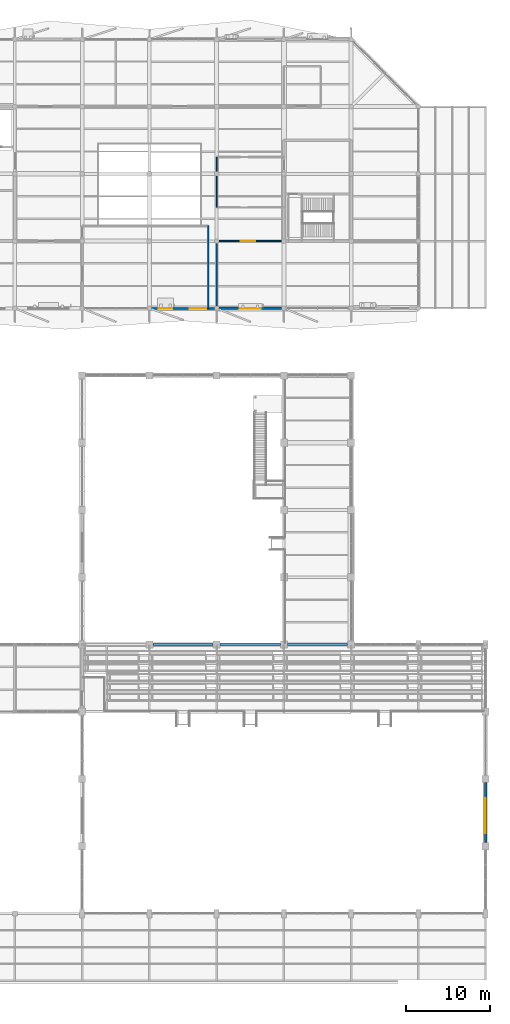
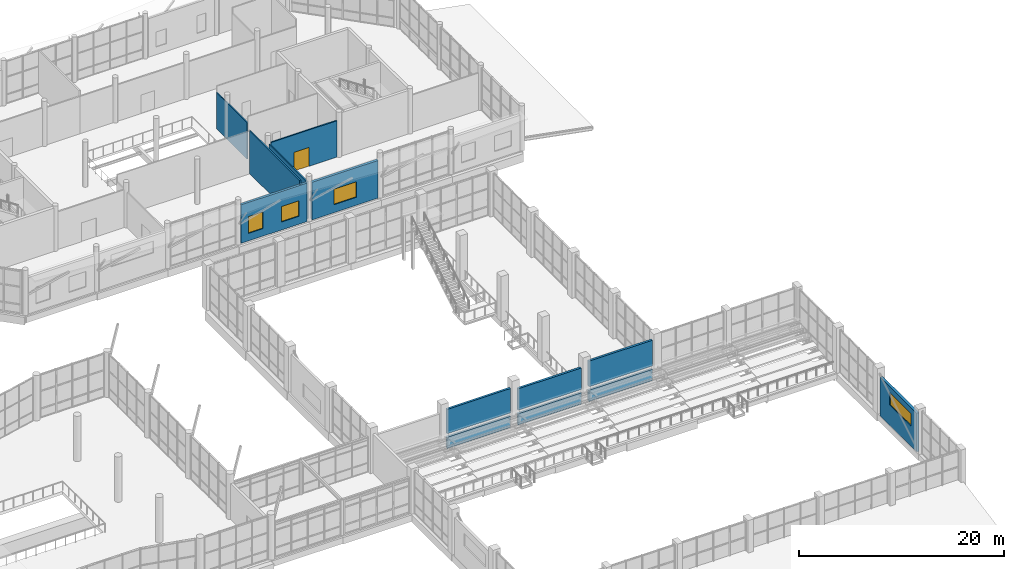
# One storey, part 110 of 122: 13 walls, 4 windows, 1 door, 5 openings.
"""IFC4 building model written with IfcOpenShell, lengths in metres."""

from ifc_helpers import new_model, si_unit, direction, frame, frame_2d, origin, place, context, subcontext, project, spatial, rectangle, extrude, material, layer, layer_set, type_object, element, fill, save


model = new_model("IFC4")

# Units and contexts
model_context = context("Model", 3, precision=1e-05, world=origin(), true_north=direction((0.0, 1.0)))
body_context = subcontext(model_context, "Body", "Model", "MODEL_VIEW")
ifc_project = project(units=[si_unit("LENGTHUNIT", "METRE"), si_unit("AREAUNIT", "SQUARE_METRE"), si_unit("VOLUMEUNIT", "CUBIC_METRE"), si_unit("PLANEANGLEUNIT", "RADIAN"), si_unit("MASSUNIT", "GRAM", prefix="KILO")], contexts=[model_context])

# Site, building, storey
site_placement = place(None, origin())
site = spatial("IfcSite", under=ifc_project, at=site_placement, CompositionType="ELEMENT")
building_placement = place(site_placement, origin())
building = spatial("IfcBuilding", under=site, at=building_placement, Name="Tenunan Teduh Sports Hall", CompositionType="ELEMENT")
storey_placement = place(building_placement, frame((0.0, 0.0, 5.39990234375)))
storey = spatial("IfcBuildingStorey", under=building, at=storey_placement, Name="L01", CompositionType="ELEMENT", Elevation=5.39990234375)

# Walls
ifc_material_1 = material(Name="Precast concrete C40/50", Category="concrete")
ifc_layer_1 = layer(ifc_material_1, 0.25)
ifc_layer_set_1 = layer_set([ifc_layer_1], Name="Precast concrete C40/50")
wall_type_1 = type_object("IfcWallType", Name="WL-EXT-250", PredefinedType="SOLIDWALL", material=ifc_layer_set_1)
for number, where, z_axis, x_axis, name in (
    (1, (130.425048828125, 46.0, -0.27001953125), (0.0, 0.0, 1.0), (1.0, 0.0, 0.0), "WL-EXT-L01-066"),
    (2, (138.425048828125, 46.0, -0.27001953125), (0.0, 0.0, 1.0), (1.0, 0.0, 0.0), "WL-EXT-L01-067"),
    (3, (146.425048828125, 46.0, -0.27001953125), (0.0, 0.0, 1.0), (1.0, 0.0, 0.0), "WL-EXT-L01-068"),
):
    element("IfcWall", number, at=place(storey_placement, frame(where, z_axis=z_axis, x_axis=x_axis)), inside=storey, type_object=wall_type_1, Name=name, PredefinedType="SOLIDWALL", context=body_context, shape_type="SweptSolid", body=[
        extrude(rectangle(XDim=7.14990234375, YDim=0.25, at=frame_2d((3.574951171875, 0.0))), origin(), (0.0, 0.0, 1.0), 1.34375),
    ])

# Wall, openings, windows
wall_1_placement = place(storey_placement, frame((130.27490234375, 86.0, 0.0), z_axis=(0.0, 0.0, 1.0), x_axis=(1.0, 0.0, 0.0)))
wall_1 = element("IfcWall", 4, at=wall_1_placement, inside=storey, type_object=wall_type_1, Name="WL-EXT-L01-230", PredefinedType="SOLIDWALL", context=body_context, shape_type="SweptSolid", body=[
    extrude(rectangle(XDim=7.4501953125, YDim=0.25, at=frame_2d((3.72509765625, 0.0))), origin(), (0.0, 0.0, 1.0), 4.590087890625),
])
opening_1_placement = place(wall_1_placement, frame((0.85009765625, 0.0, 0.89990234375)))
opening_1 = element("IfcOpeningElement", 5, at=opening_1_placement, cuts=wall_1, Name="Opening W-14", PredefinedType="OPENING", context=body_context, shape_type="SweptSolid", body=[
    extrude(rectangle(XDim=1.60009765625, YDim=2.0, at=frame_2d((0.800048828125, 1.0))), frame((0.0, 0.135009765625, 0.0), z_axis=(0.0, -1.0, 0.0), x_axis=(1.0, 0.0, 0.0)), (0.0, 0.0, 1.0), 0.27001953125),
])
opening_2_placement = place(wall_1_placement, frame((4.550048828125, 0.0, 0.949951171875)))
opening_2 = element("IfcOpeningElement", 6, at=opening_2_placement, cuts=wall_1, Name="Opening W-20", PredefinedType="OPENING", context=body_context, shape_type="SweptSolid", body=[
    extrude(rectangle(XDim=1.949951171875, YDim=1.85009765625, at=frame_2d((0.97509765625, 0.925048828125))), frame((0.0, 0.135009765625, 0.0), z_axis=(0.0, -1.0, 0.0), x_axis=(1.0, 0.0, 0.0)), (0.0, 0.0, 1.0), 0.27001953125),
])
ifc_material_2 = material(Name="Thermally broken aluminium and Low-E glazing", Category="aluminium")
window_type_1 = type_object("IfcWindowType", Name="WIN-14", PartitioningType="DOUBLE_PANEL_VERTICAL", PredefinedType="WINDOW", material=ifc_material_2)
window_1_placement = place(opening_1_placement, origin())
window_1 = element("IfcWindow", 7, at=window_1_placement, inside=storey, type_object=window_type_1, Name="WIN-L01-136", OverallHeight=2.0, OverallWidth=1.60009765625, PartitioningType="SINGLE_PANEL", PredefinedType="WINDOW", context=body_context, shape_type="SweptSolid", body=[
    extrude(rectangle(XDim=1.60009765625, YDim=2.0, at=frame_2d((0.800048828125, 1.0))), frame((0.0, 0.030029296875, 0.0), z_axis=(0.0, -1.0, 0.0), x_axis=(1.0, 0.0, 0.0)), (0.0, 0.0, 1.0), 0.06005859375),
])
fill(opening_1, window_1)
ifc_material_3 = material(Name="Thermally broken aluminium and Low-E glazing", Category="aluminium")
window_type_2 = type_object("IfcWindowType", Name="WIN-20", PartitioningType="DOUBLE_PANEL_VERTICAL", PredefinedType="WINDOW", material=ifc_material_3)
window_2_placement = place(opening_2_placement, origin())
window_2 = element("IfcWindow", 8, at=window_2_placement, inside=storey, type_object=window_type_2, Name="WIN-L01-137", OverallHeight=1.85009765625, OverallWidth=1.949951171875, PartitioningType="SINGLE_PANEL", PredefinedType="WINDOW", context=body_context, shape_type="SweptSolid", body=[
    extrude(rectangle(XDim=1.949951171875, YDim=1.85009765625, at=frame_2d((0.97509765625, 0.925048828125))), frame((0.0, 0.030029296875, 0.0), z_axis=(0.0, -1.0, 0.0), x_axis=(1.0, 0.0, 0.0)), (0.0, 0.0, 1.0), 0.06005859375),
])
fill(opening_2, window_2)

# Walls
wall_2_placement = place(storey_placement, frame((130.425048828125, 46.0, 1.47998046875), z_axis=(0.0, 0.0, 1.0), x_axis=(1.0, 0.0, 0.0)))
element("IfcWall", 9, at=wall_2_placement, inside=storey, type_object=wall_type_1, Name="WL-EXT-L01-239", PredefinedType="SOLIDWALL", context=body_context, shape_type="SweptSolid", body=[
    extrude(rectangle(XDim=7.14990234375, YDim=0.25, at=frame_2d((3.574951171875, 0.0))), origin(), (0.0, 0.0, 1.0), 2.91015625),
])
wall_3_placement = place(storey_placement, frame((138.425048828125, 46.0, 1.47998046875), z_axis=(0.0, 0.0, 1.0), x_axis=(1.0, 0.0, 0.0)))
element("IfcWall", 10, at=wall_3_placement, inside=storey, type_object=wall_type_1, Name="WL-EXT-L01-240", PredefinedType="SOLIDWALL", context=body_context, shape_type="SweptSolid", body=[
    extrude(rectangle(XDim=7.14990234375, YDim=0.25, at=frame_2d((3.574951171875, 0.0))), origin(), (0.0, 0.0, 1.0), 2.56005859375),
])
wall_4_placement = place(storey_placement, frame((146.425048828125, 46.0, 1.47998046875), z_axis=(0.0, 0.0, 1.0), x_axis=(1.0, 0.0, 0.0)))
element("IfcWall", 11, at=wall_4_placement, inside=storey, type_object=wall_type_1, Name="WL-EXT-L01-241", PredefinedType="SOLIDWALL", context=body_context, shape_type="SweptSolid", body=[
    extrude(rectangle(XDim=7.14990234375, YDim=0.25, at=frame_2d((3.574951171875, 0.0))), origin(), (0.0, 0.0, 1.0), 3.06005859375),
])

# Wall, opening, window
ifc_material_4 = material(Name="Concrete C40/50", Category="concrete")
ifc_layer_2 = layer(ifc_material_4, 0.280029296875)
ifc_layer_set_2 = layer_set([ifc_layer_2], Name="Concrete C40/50")
wall_type_2 = type_object("IfcWallType", Name="WL-EXT-280", PredefinedType="SOLIDWALL", material=ifc_layer_set_2)
wall_5_placement = place(storey_placement, frame((138.27490234375, 86.0, 0.0), z_axis=(0.0, 0.0, 1.0), x_axis=(1.0, 0.0, 0.0)))
wall_5 = element("IfcWall", 12, at=wall_5_placement, inside=storey, type_object=wall_type_2, Name="WL-EXT-L01-231", PredefinedType="SOLIDWALL", context=body_context, shape_type="SweptSolid", body=[
    extrude(rectangle(XDim=7.4501953125, YDim=0.280029296875, at=frame_2d((3.72509765625, 0.0))), origin(), (0.0, 0.0, 1.0), 4.489990234375),
])
opening_3_placement = place(wall_5_placement, frame((2.449951171875, 0.0, 0.949951171875)))
opening_3 = element("IfcOpeningElement", 13, at=opening_3_placement, cuts=wall_5, Name="Opening W-22", PredefinedType="OPENING", context=body_context, shape_type="SweptSolid", body=[
    extrude(rectangle(XDim=2.550048828125, YDim=1.85009765625, at=frame_2d((1.27490234375, 0.925048828125))), frame((0.0, 0.14990234375, 0.0), z_axis=(0.0, -1.0, 0.0), x_axis=(1.0, 0.0, 0.0)), (0.0, 0.0, 1.0), 0.300048828125),
])
ifc_material_5 = material(Name="Thermally broken aluminium and Low-E glazing", Category="aluminium")
window_type_3 = type_object("IfcWindowType", Name="WIN-22", PartitioningType="TRIPLE_PANEL_VERTICAL", PredefinedType="WINDOW", material=ifc_material_5)
window_3_placement = place(opening_3_placement, origin())
window_3 = element("IfcWindow", 14, at=window_3_placement, inside=storey, type_object=window_type_3, Name="WIN-L01-138", OverallHeight=1.85009765625, OverallWidth=2.550048828125, PartitioningType="SINGLE_PANEL", PredefinedType="WINDOW", context=body_context, shape_type="SweptSolid", body=[
    extrude(rectangle(XDim=2.550048828125, YDim=1.85009765625, at=frame_2d((1.27490234375, 0.925048828125))), frame((0.0, 0.030029296875, 0.0), z_axis=(0.0, -1.0, 0.0), x_axis=(1.0, 0.0, 0.0)), (0.0, 0.0, 1.0), 0.06005859375),
])
fill(opening_3, window_3)

ifc_material_6 = material(Name="Concrete C40/50", Category="concrete")
ifc_layer_3 = layer(ifc_material_6, 0.2900390625)
ifc_layer_set_3 = layer_set([ifc_layer_3], Name="Concrete C40/50")
wall_type_3 = type_object("IfcWallType", Name="WL-EXT-290", PredefinedType="SOLIDWALL", material=ifc_layer_set_3)
wall_6_placement = place(storey_placement, frame((170.0, 22.425048828125, -0.27001953125), z_axis=(0.0, 0.0, 1.0), x_axis=(0.0, 1.0, 0.0)))
wall_6 = element("IfcWall", 15, at=wall_6_placement, inside=storey, type_object=wall_type_3, Name="WL-EXT-L01-070", PredefinedType="SOLIDWALL", context=body_context, shape_type="SweptSolid", body=[
    extrude(rectangle(XDim=7.14990234375, YDim=0.2900390625, at=frame_2d((3.574951171875, 0.0))), origin(), (0.0, 0.0, 1.0), 4.610107421875),
])
opening_4_placement = place(wall_6_placement, frame((1.10009765625, 0.0, 2.39990234375)))
opening_4 = element("IfcOpeningElement", 16, at=opening_4_placement, cuts=wall_6, Name="Opening W-06", PredefinedType="OPENING", context=body_context, shape_type="SweptSolid", body=[
    extrude(rectangle(XDim=4.199951171875, YDim=1.5, at=frame_2d((2.10009765625, 0.75))), frame((0.0, 0.155029296875, 0.0), z_axis=(0.0, -1.0, 0.0), x_axis=(1.0, 0.0, 0.0)), (0.0, 0.0, 1.0), 0.31005859375),
])
ifc_material_7 = material(Name="Thermally broken aluminium and Low-E glazing", Category="aluminium")
window_type_4 = type_object("IfcWindowType", Name="WIN-06", PartitioningType="TRIPLE_PANEL_HORIZONTAL", PredefinedType="WINDOW", material=ifc_material_7)
window_4_placement = place(opening_4_placement, origin())
window_4 = element("IfcWindow", 17, at=window_4_placement, inside=storey, type_object=window_type_4, Name="WIN-L01-005", OverallHeight=1.5, OverallWidth=4.199951171875, PartitioningType="SINGLE_PANEL", PredefinedType="WINDOW", context=body_context, shape_type="SweptSolid", body=[
    extrude(rectangle(XDim=4.199951171875, YDim=1.5, at=frame_2d((2.10009765625, 0.75))), frame((0.0, 0.030029296875, 0.0), z_axis=(0.0, -1.0, 0.0), x_axis=(1.0, 0.0, 0.0)), (0.0, 0.0, 1.0), 0.06005859375),
])
fill(opening_4, window_4)

# Walls
ifc_material_8 = material(Name="Moisture-resistant masonry", Category="masonry")
ifc_layer_4 = layer(ifc_material_8, 0.125)
ifc_layer_set_4 = layer_set([ifc_layer_4], Name="Moisture-resistant masonry")
wall_type_4 = type_object("IfcWallType", Name="WL-PRT-125", PredefinedType="PARTITIONING", material=ifc_layer_set_4)
wall_7_placement = place(storey_placement, frame((138.0, 98.0, 0.0), z_axis=(0.0, 0.0, 1.0), x_axis=(0.0, 1.0, 0.0)))
element("IfcWall", 18, at=wall_7_placement, inside=storey, type_object=wall_type_4, Name="WL-PRT-L01-401", PredefinedType="PARTITIONING", context=body_context, shape_type="SweptSolid", body=[
    extrude(rectangle(XDim=6.0, YDim=0.125, at=frame_2d((3.0, 0.0))), origin(), (0.0, 0.0, 1.0), 4.340087890625),
])
ifc_material_9 = material(Name="Acoustic stud and double plasterboard")
ifc_layer_5 = layer(ifc_material_9, 0.14990234375)
ifc_layer_set_5 = layer_set([ifc_layer_5], Name="Acoustic stud and double plasterboard")
wall_type_5 = type_object("IfcWallType", Name="WL-PRT-150", PredefinedType="PARTITIONING", material=ifc_layer_set_5)
wall_8_placement = place(storey_placement, frame((137.0, 86.0, 0.0), z_axis=(0.0, 0.0, 1.0), x_axis=(0.0, 1.0, 0.0)))
element("IfcWall", 19, at=wall_8_placement, inside=storey, type_object=wall_type_5, Name="WL-PRT-L01-396", PredefinedType="PARTITIONING", context=body_context, shape_type="SweptSolid", body=[
    extrude(rectangle(XDim=9.800048828125, YDim=0.14990234375, at=frame_2d((4.89990234375, 0.0))), origin(), (0.0, 0.0, 1.0), 5.10009765625),
])

# Wall, opening, door
wall_9_placement = place(storey_placement, frame((138.27490234375, 94.0, 0.0), z_axis=(0.0, 0.0, 1.0), x_axis=(1.0, 0.0, 0.0)))
wall_9 = element("IfcWall", 20, at=wall_9_placement, inside=storey, type_object=wall_type_5, Name="WL-PRT-L01-397", PredefinedType="PARTITIONING", context=body_context, shape_type="SweptSolid", body=[
    extrude(rectangle(XDim=7.4501953125, YDim=0.14990234375, at=frame_2d((3.72509765625, 0.0))), origin(), (0.0, 0.0, 1.0), 4.340087890625),
])
opening_5_placement = place(wall_9_placement, frame((2.610107421875, 0.0, 0.0)))
opening_5 = element("IfcOpeningElement", 21, at=opening_5_placement, cuts=wall_9, Name="Opening ID-05", PredefinedType="OPENING", context=body_context, shape_type="SweptSolid", body=[
    extrude(rectangle(XDim=1.699951171875, YDim=2.25, at=frame_2d((0.85009765625, 1.125))), frame((0.0, 0.0849609375, 0.0), z_axis=(0.0, -1.0, 0.0), x_axis=(1.0, 0.0, 0.0)), (0.0, 0.0, 1.0), 0.169921875),
])
ifc_material_10 = material(Name="Glazed concourse pair")
door_type = type_object("IfcDoorType", Name="IDR-05", OperationType="DOUBLE_DOOR_SINGLE_SWING", PredefinedType="DOOR", material=ifc_material_10)
door_placement = place(opening_5_placement, origin())
door = element("IfcDoor", 22, at=door_placement, inside=storey, type_object=door_type, Name="DR-INT-L01-152", OperationType="DOUBLE_DOOR_SINGLE_SWING", OverallHeight=2.25, OverallWidth=1.699951171875, PredefinedType="DOOR", context=body_context, shape_type="SweptSolid", body=[
    extrude(rectangle(XDim=1.699951171875, YDim=2.25, at=frame_2d((0.85009765625, 1.125))), frame((0.0, 0.02490234375, 0.0), z_axis=(0.0, -1.0, 0.0), x_axis=(1.0, 0.0, 0.0)), (0.0, 0.0, 1.0), 0.050048828125),
])
fill(opening_5, door)

# Wall
wall_10_placement = place(storey_placement, frame((138.0, 86.27490234375, 0.0), z_axis=(0.0, 0.0, 1.0), x_axis=(0.0, 1.0, 0.0)))
element("IfcWall", 23, at=wall_10_placement, inside=storey, type_object=wall_type_5, Name="WL-PRT-L01-399", PredefinedType="PARTITIONING", context=body_context, shape_type="SweptSolid", body=[
    extrude(rectangle(XDim=7.4501953125, YDim=0.14990234375, at=frame_2d((3.72509765625, 0.0))), origin(), (0.0, 0.0, 1.0), 4.39013671875),
])

save(model, "model.ifc")
